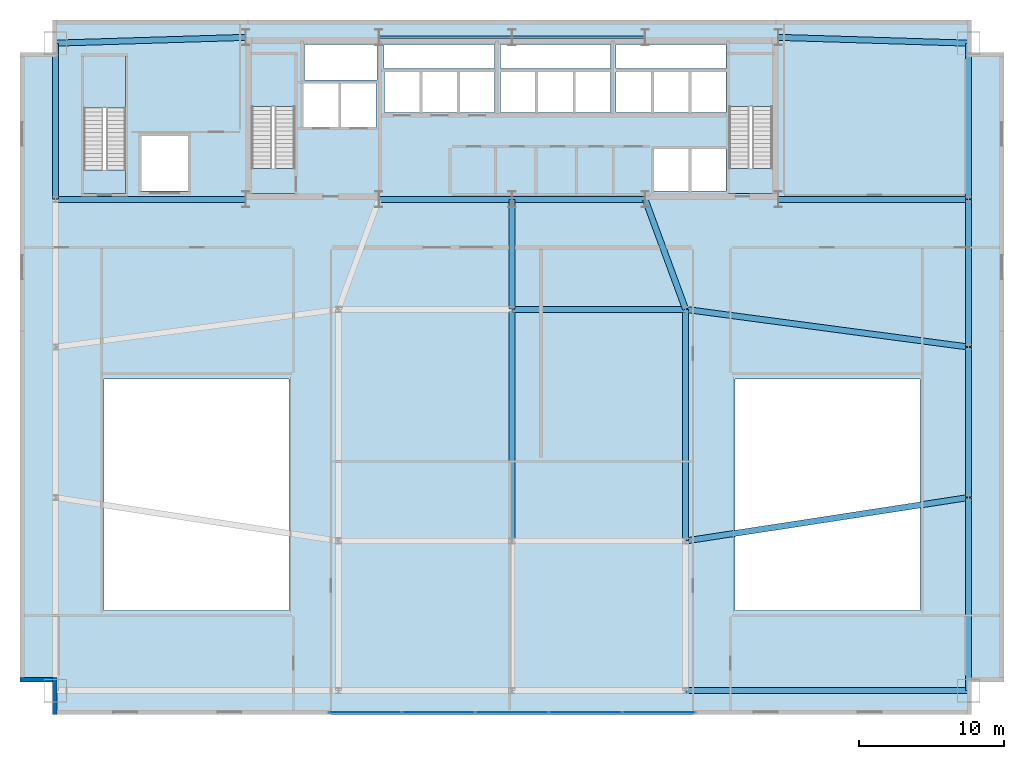
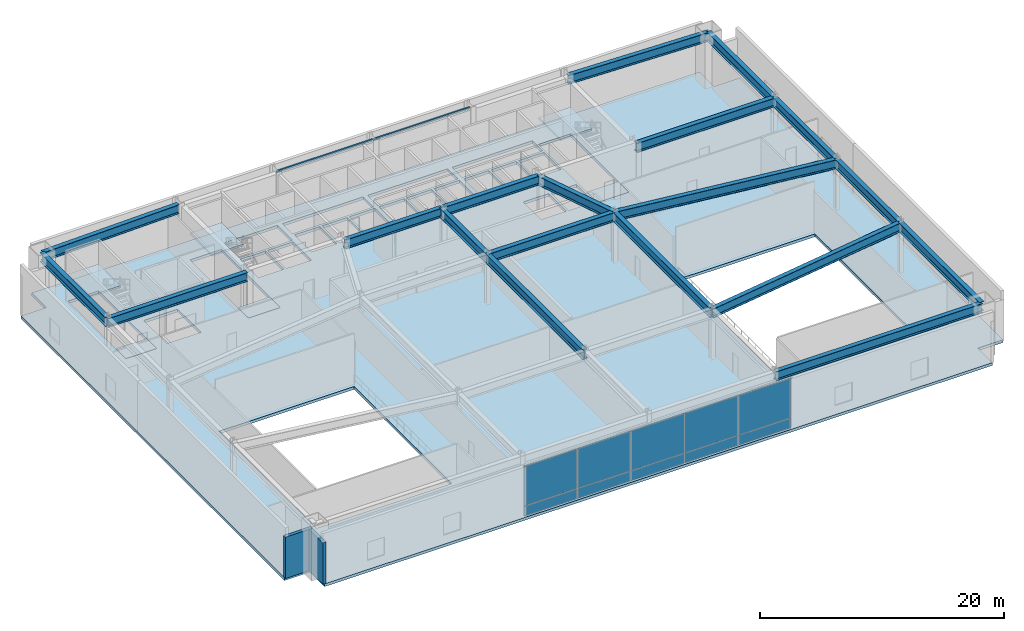
# One storey, part 7 of 13: 21 beams, 10 plates, 7 slabs, 2 walls, 4 elements without a shape of their own.
"""IFC4 building model written with IfcOpenShell, lengths in metres."""

import ifcopenshell
import ifcopenshell.guid

model = None  # the IFC model being written
_history = None  # IfcOwnerHistory: only IFC2X3 demands one
_inside = {}  # id of a spatial element -> (the spatial element, [elements in it])
_under = {}  # id of a project, library or spatial element -> (it, [spatial elements below it])
_declared = {}  # id of a project -> (the project, [libraries it declares])
_typed = {}  # id of a type object -> (the type object, [elements of that type])
_made_of = {}  # id of a material, layer set ... -> (it, [elements and type objects made of it])


def new_model(schema):
    """Start an empty IFC model of exactly this schema.

    Asked for "IFC4X3", IfcOpenShell would pick the latest addendum, in which some entities
    have other attributes; the version numbers below select the first issue.
    IFC2X3 requires an IfcOwnerHistory on every rooted entity: one is made here for all.
    """
    global model, _history
    if schema == "IFC4X3":
        model = ifcopenshell.file(schema_version=(4, 3, 0, 0))
    else:
        model = ifcopenshell.file(schema=schema)
    _inside.clear()
    _under.clear()
    _declared.clear()
    _typed.clear()
    _made_of.clear()
    _history = None
    if model.schema == "IFC2X3":
        org = make("IfcOrganization", Name="unknown")
        user = make(
            "IfcPersonAndOrganization",
            ThePerson=make("IfcPerson", FamilyName="unknown"),
            TheOrganization=org,
        )
        app = make(
            "IfcApplication",
            ApplicationDeveloper=org,
            Version="unknown",
            ApplicationFullName="unknown",
            ApplicationIdentifier="unknown",
        )
        _history = make(
            "IfcOwnerHistory",
            OwningUser=user,
            OwningApplication=app,
            ChangeAction="ADDED",
            CreationDate=0,
        )
    return model


def make(cls, **values):
    """One entity of the class cls with the attributes given. An attribute that is None is left unset."""
    return model.create_entity(
        cls, **{name: value for name, value in values.items() if value is not None}
    )


def rooted(cls, **values):
    """An entity with a GlobalId (a new one), such as an element, a storey or a relation."""
    return make(cls, GlobalId=ifcopenshell.guid.new(), OwnerHistory=_history, **values)


def si_unit(unit_type, name, prefix=None):
    """IfcSIUnit, for example si_unit("LENGTHUNIT", "METRE", prefix="MILLI")."""
    return make("IfcSIUnit", UnitType=unit_type, Prefix=prefix, Name=name)


def assignment(units):
    """IfcUnitAssignment: the units of a project."""
    return None if units is None else make("IfcUnitAssignment", Units=units)


def point(xyz):
    """IfcCartesianPoint."""
    return None if xyz is None else make("IfcCartesianPoint", Coordinates=xyz)


def direction(xyz):
    """IfcDirection."""
    return None if xyz is None else make("IfcDirection", DirectionRatios=xyz)


def frame(location, z_axis=None, x_axis=None):
    """IfcAxis2Placement3D, a coordinate frame: its origin and axes. An axis left out is left unset."""
    return make(
        "IfcAxis2Placement3D",
        Location=point(location),
        Axis=direction(z_axis),
        RefDirection=direction(x_axis),
    )


def frame_2d(location, x_axis=None):
    """IfcAxis2Placement2D, a coordinate frame in the plane: its origin and x axis."""
    return make(
        "IfcAxis2Placement2D", Location=point(location), RefDirection=direction(x_axis)
    )


def origin():
    """The frame at (0, 0, 0) with its axes left unset."""
    return frame((0.0, 0.0, 0.0))


def origin_2d():
    """The frame at (0, 0) in the plane with its x axis left unset."""
    return frame_2d((0.0, 0.0))


def place(relative_to, where):
    """IfcLocalPlacement: puts the frame where relative to a parent placement (None: the world)."""
    return make(
        "IfcLocalPlacement", PlacementRelTo=relative_to, RelativePlacement=where
    )


def context(
    kind, dimensions, precision=None, world=None, true_north=None, identifier=None
):
    """IfcGeometricRepresentationContext, for example the 3D "Model" context."""
    return make(
        "IfcGeometricRepresentationContext",
        ContextIdentifier=identifier,
        ContextType=kind,
        CoordinateSpaceDimension=dimensions,
        Precision=precision,
        WorldCoordinateSystem=world,
        TrueNorth=true_north,
    )


def subcontext(parent, identifier, kind, view, scale=None):
    """IfcGeometricRepresentationSubContext, for example "Body" below "Model"."""
    return make(
        "IfcGeometricRepresentationSubContext",
        ContextIdentifier=identifier,
        ContextType=kind,
        ParentContext=parent,
        TargetScale=scale,
        TargetView=view,
    )


def project(units=None, contexts=None):
    """IfcProject with its units and contexts."""
    return rooted(
        "IfcProject",
        Name="project",
        RepresentationContexts=contexts,
        UnitsInContext=assignment(units),
    )


def spatial(cls, under=None, at=None, **own):
    """A site, building, storey or space (cls), placed at a placement, below another one or the project."""
    s = rooted(cls, ObjectPlacement=at, **own)
    if under is not None:
        _under.setdefault(under.id(), (under, []))[1].append(s)
    return s


def polyline(points):
    """IfcPolyline through the points."""
    return make("IfcPolyline", Points=[point(p) for p in points])


def profile(cls, at=None, kind="AREA", **sizes):
    """A parametric profile (cls). Its sizes go by their IFC names, for example OverallWidth=200.0."""
    return make(cls, ProfileType=kind, Position=at, **sizes)


def rectangle(**sizes):
    """IfcRectangleProfileDef."""
    return profile("IfcRectangleProfileDef", **sizes)


def i_section(**sizes):
    """IfcIShapeProfileDef."""
    return profile("IfcIShapeProfileDef", **sizes)


def outline(outer, holes=None, kind="AREA"):
    """IfcArbitraryClosedProfileDef: a profile drawn as a closed curve; with holes, ...WithVoids."""
    if holes is None:
        return make("IfcArbitraryClosedProfileDef", ProfileType=kind, OuterCurve=outer)
    return make(
        "IfcArbitraryProfileDefWithVoids",
        ProfileType=kind,
        OuterCurve=outer,
        InnerCurves=holes,
    )


def extrude(swept, where, along, depth):
    """IfcExtrudedAreaSolid: the profile swept, set in the frame where, extruded along a direction by depth."""
    return make(
        "IfcExtrudedAreaSolid",
        SweptArea=swept,
        Position=where,
        ExtrudedDirection=direction(along),
        Depth=depth,
    )


def shape(context_of_items, identifier, shape_type, items):
    """IfcShapeRepresentation: the items that make up one representation, for example the "Body"."""
    return make(
        "IfcShapeRepresentation",
        ContextOfItems=context_of_items,
        RepresentationIdentifier=identifier,
        RepresentationType=shape_type,
        Items=items,
    )


def source(mapping_origin, context_of_items, identifier, shape_type, items):
    """IfcRepresentationMap: a shape defined once, which mapped items show again and again."""
    return make(
        "IfcRepresentationMap",
        MappingOrigin=mapping_origin,
        MappedRepresentation=shape(context_of_items, identifier, shape_type, items),
    )


def transform(
    local_origin,
    x_axis=None,
    y_axis=None,
    z_axis=None,
    scale=None,
    scale2=None,
    scale3=None,
    uniform=True,
):
    """IfcCartesianTransformationOperator3D, or its non-uniform kind. x_axis, y_axis, z_axis: its Axis1, 2, 3."""
    if uniform:
        return make(
            "IfcCartesianTransformationOperator3D",
            Axis1=direction(x_axis),
            Axis2=direction(y_axis),
            LocalOrigin=point(local_origin),
            Scale=scale,
            Axis3=direction(z_axis),
        )
    return make(
        "IfcCartesianTransformationOperator3DnonUniform",
        Axis1=direction(x_axis),
        Axis2=direction(y_axis),
        LocalOrigin=point(local_origin),
        Scale=scale,
        Axis3=direction(z_axis),
        Scale2=scale2,
        Scale3=scale3,
    )


def mapped(mapping_source, mapping_target):
    """IfcMappedItem: shows the shape of a source again, moved by a transform."""
    return make(
        "IfcMappedItem", MappingSource=mapping_source, MappingTarget=mapping_target
    )


def material(Name=None, Category=None):
    """IfcMaterial."""
    return make("IfcMaterial", Name=Name, Category=Category)


def layer(
    of_material, thickness, ventilated=None, Name=None, Category=None, Priority=None
):
    """IfcMaterialLayer: one layer of a wall or slab, of a material (None: an air gap)."""
    return make(
        "IfcMaterialLayer",
        Material=of_material,
        LayerThickness=thickness,
        IsVentilated=ventilated,
        Name=Name,
        Category=Category,
        Priority=Priority,
    )


def layer_set(layers, Name=None):
    """IfcMaterialLayerSet."""
    return make("IfcMaterialLayerSet", MaterialLayers=layers, LayerSetName=Name)


def material_profile(
    of_material, cross_section, Name=None, Category=None, Priority=None
):
    """IfcMaterialProfile: a cross section and its material."""
    return make(
        "IfcMaterialProfile",
        Name=Name,
        Material=of_material,
        Profile=cross_section,
        Priority=Priority,
        Category=Category,
    )


def profile_set(profiles, Name=None, composite=None):
    """IfcMaterialProfileSet."""
    return make(
        "IfcMaterialProfileSet",
        Name=Name,
        MaterialProfiles=profiles,
        CompositeProfile=composite,
    )


def made_of(thing, what):
    """Note that an element or type object is made of a material, layer set ...; save() writes the relation."""
    if what is not None:
        _made_of.setdefault(what.id(), (what, []))[1].append(thing)
    return thing


def type_object(cls, material=None, **own):
    """A type object (cls), such as IfcWallType, which elements share."""
    return made_of(rooted(cls, **own), material)


def type_shapes(of_type, sources):
    """Give a type object the sources (RepresentationMaps) that its elements show as mapped items."""
    of_type.RepresentationMaps = sources


def element(
    cls,
    number,
    at=None,
    inside=None,
    cuts=None,
    type_object=None,
    material=None,
    context=None,
    identifier="Body",
    shape_type=None,
    held_by="IfcProductDefinitionShape",
    body=None,
    shapes=None,
    **own,
):
    """One element of the class cls, such as IfcWall. Its Tag is "e" and its number.

    at: its placement. inside: the storey or other place that contains it. cuts: it is an
    opening in that element (IfcRelVoidsElement). A single representation is given by context,
    identifier, shape_type and body (its items); several are given by shapes. held_by: the class
    of the entity that holds the representations. save() writes the other relations.
    """
    e = rooted(cls, Tag="e%d" % number, ObjectPlacement=at, **own)
    if body is not None:
        shapes = [shape(context, identifier, shape_type, body)]
    if shapes is not None:
        e.Representation = make(held_by, Representations=shapes)
    if inside is not None:
        _inside.setdefault(inside.id(), (inside, []))[1].append(e)
    if cuts is not None:
        rooted(
            "IfcRelVoidsElement", RelatingBuildingElement=cuts, RelatedOpeningElement=e
        )
    if type_object is not None:
        _typed.setdefault(type_object.id(), (type_object, []))[1].append(e)
    return made_of(e, material)


def aggregate(whole, parts):
    """IfcRelAggregates: a whole, such as a stair, and the parts it consists of."""
    return rooted("IfcRelAggregates", RelatingObject=whole, RelatedObjects=parts)


def save(model, path):
    """Write the relations noted so far, then the file.

    IfcRelAggregates (storeys below a building ...), IfcRelContainedInSpatialStructure (elements
    in a storey), IfcRelDefinesByType, IfcRelAssociatesMaterial and IfcRelDeclares: one each for
    every whole, place, type object, material and project.
    """
    for whole, parts in _under.values():
        aggregate(whole, parts)
    for where, things in _inside.values():
        rooted(
            "IfcRelContainedInSpatialStructure",
            RelatedElements=things,
            RelatingStructure=where,
        )
    for kind, things in _typed.values():
        rooted("IfcRelDefinesByType", RelatedObjects=things, RelatingType=kind)
    for what, things in _made_of.values():
        rooted("IfcRelAssociatesMaterial", RelatedObjects=things, RelatingMaterial=what)
    for by, libraries in _declared.values():
        rooted("IfcRelDeclares", RelatingContext=by, RelatedDefinitions=libraries)
    model.write(path)


model = new_model("IFC4")

# Units and contexts
model_context = context("Model", 3, precision=1e-05, world=origin(), true_north=direction((0.0, 1.0)))
body_context = subcontext(model_context, "Body", "Model", "MODEL_VIEW")
ifc_project = project(units=[si_unit("LENGTHUNIT", "METRE"), si_unit("AREAUNIT", "SQUARE_METRE"), si_unit("VOLUMEUNIT", "CUBIC_METRE"), si_unit("PLANEANGLEUNIT", "RADIAN"), si_unit("MASSUNIT", "GRAM", prefix="KILO")], contexts=[model_context])

# Site, building, storey
site_placement = place(None, origin())
site = spatial("IfcSite", under=ifc_project, at=site_placement, CompositionType="ELEMENT")
building_placement = place(site_placement, origin())
building = spatial("IfcBuilding", under=site, at=building_placement, Name="Varnel Quay Broadcast Tower", CompositionType="ELEMENT")
storey_placement = place(building_placement, frame((0.0, 0.0, 16.800048828125)))
storey = spatial("IfcBuildingStorey", under=building, at=storey_placement, Name="L03", CompositionType="ELEMENT", Elevation=16.800048828125)

# Beams
ifc_material_1 = material(Name="Structural Steel CSA G40.21 350W", Category="steel")
ifc_material_profile_1 = material_profile(ifc_material_1, i_section(OverallWidth=0.1650390625, OverallDepth=0.200927734375, WebThickness=0.006103515625, FlangeThickness=0.01025390625, FilletRadius=0.010009765625, at=origin_2d()), Name="W200X36")
ifc_profile_set_1 = profile_set([ifc_material_profile_1], Name="Structural Steel CSA G40.21 350W")
beam_type_1 = type_object("IfcBeamType", Name="Beam_W200X36", PredefinedType="LINTEL", material=ifc_profile_set_1)
shared_shape_1 = source(origin(), body_context, "Body", "SweptSolid", [
    extrude(i_section(OverallWidth=0.1650390625, OverallDepth=0.200927734375, WebThickness=0.006103515625, FlangeThickness=0.01025390625, FilletRadius=0.010009765625, at=origin_2d()), origin(), (0.0, 0.0, 1.0), 9.159912109375),
])
type_shapes(beam_type_1, [shared_shape_1])
for number, where, z_axis, x_axis, name in (
    (1, (24.820068359375, 46.800048828125, 4.9794921875), (1.0, 0.0, 0.0), (0.0, 1.0, 0.0), "L03 Core North Portal Lintel W"),
    (2, (34.02001953125, 46.800048828125, 4.9794921875), (1.0, 0.0, 0.0), (0.0, 1.0, 0.0), "L03 Core North Portal Lintel E"),
):
    element("IfcBeam", number, at=place(storey_placement, frame(where, z_axis=z_axis, x_axis=x_axis)), inside=storey, type_object=beam_type_1, Name=name, PredefinedType="LINTEL", context=body_context, shape_type="MappedRepresentation", body=[
        mapped(shared_shape_1, transform((0.0, 0.0, 0.0), x_axis=(1.0, 0.0, 0.0), y_axis=(0.0, 1.0, 0.0), z_axis=(0.0, 0.0, 1.0), scale=1.0)),
    ])
ifc_material_profile_2 = material_profile(ifc_material_1, i_section(OverallWidth=0.41796875, OverallDepth=0.912109375, WebThickness=0.019287109375, FlangeThickness=0.031982421875, FilletRadius=0.02197265625, at=origin_2d()), Name="W920X342")
ifc_profile_set_2 = profile_set([ifc_material_profile_2], Name="Structural Steel CSA G40.21 350W")
beam_type_2 = type_object("IfcBeamType", Name="Girder_W920X342", PredefinedType="BEAM", material=ifc_profile_set_2)
shared_shape_2 = source(origin(), body_context, "Body", "SweptSolid", [
    extrude(i_section(OverallWidth=0.41796875, OverallDepth=0.912109375, WebThickness=0.019287109375, FlangeThickness=0.031982421875, FilletRadius=0.02197265625, at=origin_2d()), origin(), (0.0, 0.0, 1.0), 19.510009765625),
])
beam_1_placement = place(storey_placement, frame((46.02001953125, 1.64990234375, 4.6240234375), z_axis=(1.0, 0.0, 0.0), x_axis=(0.0, 1.0, 0.0)))
element("IfcBeam", 3, at=beam_1_placement, inside=storey, type_object=beam_type_2, Name="L03 Girder G-PS4", PredefinedType="BEAM", context=body_context, shape_type="MappedRepresentation", body=[
    mapped(shared_shape_2, transform((0.0, 0.0, 0.0), x_axis=(1.0, 0.0, 0.0), y_axis=(0.0, 1.0, 0.0), z_axis=(0.0, 0.0, 1.0), scale=1.0)),
])
shared_shape_3 = source(origin(), body_context, "Body", "SweptSolid", [
    extrude(i_section(OverallWidth=0.41796875, OverallDepth=0.912109375, WebThickness=0.019287109375, FlangeThickness=0.031982421875, FilletRadius=0.02197265625, at=origin_2d()), origin(), (0.0, 0.0, 1.0), 11.9599609375),
])
beam_2_placement = place(storey_placement, frame((34.02001953125, 28.0, 4.6240234375), z_axis=(1.0, 0.0, 0.0), x_axis=(0.0, 1.0, 0.0)))
element("IfcBeam", 4, at=beam_2_placement, inside=storey, type_object=beam_type_2, Name="L03 Girder G-STC3", PredefinedType="BEAM", context=body_context, shape_type="MappedRepresentation", body=[
    mapped(shared_shape_3, transform((0.0, 0.0, 0.0), x_axis=(1.0, 0.0, 0.0), y_axis=(0.0, 1.0, 0.0), z_axis=(0.0, 0.0, 1.0), scale=1.0)),
])
shared_shape_4 = source(origin(), body_context, "Body", "SweptSolid", [
    extrude(i_section(OverallWidth=0.41796875, OverallDepth=0.912109375, WebThickness=0.019287109375, FlangeThickness=0.031982421875, FilletRadius=0.02197265625, at=origin_2d()), origin(), (0.0, 0.0, 1.0), 13.31005859375),
])
beam_3_placement = place(storey_placement, frame((65.550048828125, 1.669921875, 4.6240234375), z_axis=(0.0, 1.0, 0.0), x_axis=(-1.0, 0.0, 0.0)))
element("IfcBeam", 5, at=beam_3_placement, inside=storey, type_object=beam_type_2, Name="L03 Girder G-PE1", PredefinedType="BEAM", context=body_context, shape_type="MappedRepresentation", body=[
    mapped(shared_shape_4, transform((0.0, 0.0, 0.0), x_axis=(1.0, 0.0, 0.0), y_axis=(0.0, 1.0, 0.0), z_axis=(0.0, 0.0, 1.0), scale=1.0)),
])
shared_shape_5 = source(origin(), body_context, "Body", "SweptSolid", [
    extrude(i_section(OverallWidth=0.41796875, OverallDepth=0.912109375, WebThickness=0.019287109375, FlangeThickness=0.031982421875, FilletRadius=0.02197265625, at=origin_2d()), origin(), (0.0, 0.0, 1.0), 10.35986328125),
])
beam_4_placement = place(storey_placement, frame((65.550048828125, 15.02001953125, 4.6240234375), z_axis=(0.0, 1.0, 0.0), x_axis=(-1.0, 0.0, 0.0)))
element("IfcBeam", 6, at=beam_4_placement, inside=storey, type_object=beam_type_2, Name="L03 Girder G-PE2", PredefinedType="BEAM", context=body_context, shape_type="MappedRepresentation", body=[
    mapped(shared_shape_5, transform((0.0, 0.0, 0.0), x_axis=(1.0, 0.0, 0.0), y_axis=(0.0, 1.0, 0.0), z_axis=(0.0, 0.0, 1.0), scale=1.0)),
])
shared_shape_6 = source(origin(), body_context, "Body", "SweptSolid", [
    extrude(i_section(OverallWidth=0.41796875, OverallDepth=0.912109375, WebThickness=0.019287109375, FlangeThickness=0.031982421875, FilletRadius=0.02197265625, at=origin_2d()), origin(), (0.0, 0.0, 1.0), 10.16015625),
])
beam_5_placement = place(storey_placement, frame((65.550048828125, 25.419921875, 4.6240234375), z_axis=(0.0, 1.0, 0.0), x_axis=(-1.0, 0.0, 0.0)))
element("IfcBeam", 7, at=beam_5_placement, inside=storey, type_object=beam_type_2, Name="L03 Girder G-PE3", PredefinedType="BEAM", context=body_context, shape_type="MappedRepresentation", body=[
    mapped(shared_shape_6, transform((0.0, 0.0, 0.0), x_axis=(1.0, 0.0, 0.0), y_axis=(0.0, 1.0, 0.0), z_axis=(0.0, 0.0, 1.0), scale=1.0)),
])
shared_shape_7 = source(origin(), body_context, "Body", "SweptSolid", [
    extrude(i_section(OverallWidth=0.41796875, OverallDepth=0.912109375, WebThickness=0.019287109375, FlangeThickness=0.031982421875, FilletRadius=0.02197265625, at=origin_2d()), origin(), (0.0, 0.0, 1.0), 10.759765625),
])
for number, where, z_axis, x_axis, name in (
    (8, (2.449951171875, 35.6201171875, 4.6240234375), (0.0, 1.0, 0.0), (-1.0, 0.0, 0.0), "L03 Girder G-PW4"),
    (9, (65.550048828125, 35.6201171875, 4.6240234375), (0.0, 1.0, 0.0), (-1.0, 0.0, 0.0), "L03 Girder G-PE4"),
):
    element("IfcBeam", number, at=place(storey_placement, frame(where, z_axis=z_axis, x_axis=x_axis)), inside=storey, type_object=beam_type_2, Name=name, PredefinedType="BEAM", context=body_context, shape_type="MappedRepresentation", body=[
        mapped(shared_shape_7, transform((0.0, 0.0, 0.0), x_axis=(1.0, 0.0, 0.0), y_axis=(0.0, 1.0, 0.0), z_axis=(0.0, 0.0, 1.0), scale=1.0)),
    ])
shared_shape_8 = source(origin(), body_context, "Body", "SweptSolid", [
    extrude(i_section(OverallWidth=0.41796875, OverallDepth=0.912109375, WebThickness=0.019287109375, FlangeThickness=0.031982421875, FilletRadius=0.02197265625, at=origin_2d()), origin(), (0.0, 0.0, 1.0), 13.1162109375),
])
for number, where, z_axis, x_axis, name in (
    (10, (2.469970703125, 46.400634765625, 4.6240234375), (0.999537928818, 0.030396198025, 0.0), (-0.030396198025, 0.999537928818, 0.0), "L03 Girder G-PN1"),
    (11, (52.419921875, 46.79931640625, 4.6240234375), (0.999537928818, -0.030396198025, 0.0), (0.030396198025, 0.999537928818, 0.0), "L03 Girder G-PN2"),
):
    element("IfcBeam", number, at=place(storey_placement, frame(where, z_axis=z_axis, x_axis=x_axis)), inside=storey, type_object=beam_type_2, Name=name, PredefinedType="BEAM", context=body_context, shape_type="MappedRepresentation", body=[
        mapped(shared_shape_8, transform((0.0, 0.0, 0.0), x_axis=(1.0, 0.0, 0.0), y_axis=(0.0, 1.0, 0.0), z_axis=(0.0, 0.0, 1.0), scale=1.0)),
    ])
shared_shape_9 = source(origin(), body_context, "Body", "SweptSolid", [
    extrude(i_section(OverallWidth=0.41796875, OverallDepth=0.912109375, WebThickness=0.019287109375, FlangeThickness=0.031982421875, FilletRadius=0.02197265625, at=origin_2d()), origin(), (0.0, 0.0, 1.0), 19.682373046875),
])
beam_6_placement = place(storey_placement, frame((46.019775390625, 27.997314453125, 4.6240234375), z_axis=(0.991272261072, -0.131830589885, 0.0), x_axis=(0.131830589885, 0.991272261072, 0.0)))
element("IfcBeam", 12, at=beam_6_placement, inside=storey, type_object=beam_type_2, Name="L03 Girder G-STB2", PredefinedType="BEAM", context=body_context, shape_type="MappedRepresentation", body=[
    mapped(shared_shape_9, transform((0.0, 0.0, 0.0), x_axis=(1.0, 0.0, 0.0), y_axis=(0.0, 1.0, 0.0), z_axis=(0.0, 0.0, 1.0), scale=1.0)),
])
shared_shape_10 = source(origin(), body_context, "Body", "SweptSolid", [
    extrude(i_section(OverallWidth=0.41796875, OverallDepth=0.912109375, WebThickness=0.019287109375, FlangeThickness=0.031982421875, FilletRadius=0.02197265625, at=origin_2d()), origin(), (0.0, 0.0, 1.0), 15.9599609375),
])
for number, where, z_axis, x_axis, name in (
    (13, (34.0, 12.02001953125, 4.6240234375), (0.0, 1.0, 0.0), (-1.0, 0.0, 0.0), "L03 Girder G-M2C"),
    (14, (46.0, 12.02001953125, 4.6240234375), (0.0, 1.0, 0.0), (-1.0, 0.0, 0.0), "L03 Girder G-M4"),
):
    element("IfcBeam", number, at=place(storey_placement, frame(where, z_axis=z_axis, x_axis=x_axis)), inside=storey, type_object=beam_type_2, Name=name, PredefinedType="BEAM", context=body_context, shape_type="MappedRepresentation", body=[
        mapped(shared_shape_10, transform((0.0, 0.0, 0.0), x_axis=(1.0, 0.0, 0.0), y_axis=(0.0, 1.0, 0.0), z_axis=(0.0, 0.0, 1.0), scale=1.0)),
    ])
shared_shape_11 = source(origin(), body_context, "Body", "SweptSolid", [
    extrude(i_section(OverallWidth=0.41796875, OverallDepth=0.912109375, WebThickness=0.019287109375, FlangeThickness=0.031982421875, FilletRadius=0.02197265625, at=origin_2d()), origin(), (0.0, 0.0, 1.0), 8.0595703125),
])
beam_7_placement = place(storey_placement, frame((45.9931640625, 28.018798828125, 4.6240234375), z_axis=(-0.345726415607, 0.938335358788, 0.0), x_axis=(-0.938335358788, -0.345726415607, 0.0)))
element("IfcBeam", 15, at=beam_7_placement, inside=storey, type_object=beam_type_2, Name="L03 Girder G-C3", PredefinedType="BEAM", context=body_context, shape_type="MappedRepresentation", body=[
    mapped(shared_shape_11, transform((0.0, 0.0, 0.0), x_axis=(1.0, 0.0, 0.0), y_axis=(0.0, 1.0, 0.0), z_axis=(0.0, 0.0, 1.0), scale=1.0)),
])
shared_shape_12 = source(origin(), body_context, "Body", "SweptSolid", [
    extrude(i_section(OverallWidth=0.41796875, OverallDepth=0.912109375, WebThickness=0.019287109375, FlangeThickness=0.031982421875, FilletRadius=0.02197265625, at=origin_2d()), origin(), (0.0, 0.0, 1.0), 7.56005859375),
])
beam_8_placement = place(storey_placement, frame((34.0, 28.02001953125, 4.6240234375), z_axis=(0.0, 1.0, 0.0), x_axis=(-1.0, 0.0, 0.0)))
element("IfcBeam", 16, at=beam_8_placement, inside=storey, type_object=beam_type_2, Name="L03 Girder G-C2", PredefinedType="BEAM", context=body_context, shape_type="MappedRepresentation", body=[
    mapped(shared_shape_12, transform((0.0, 0.0, 0.0), x_axis=(1.0, 0.0, 0.0), y_axis=(0.0, 1.0, 0.0), z_axis=(0.0, 0.0, 1.0), scale=1.0)),
])
shared_shape_13 = source(origin(), body_context, "Body", "SweptSolid", [
    extrude(i_section(OverallWidth=0.41796875, OverallDepth=0.912109375, WebThickness=0.019287109375, FlangeThickness=0.031982421875, FilletRadius=0.02197265625, at=origin_2d()), origin(), (0.0, 0.0, 1.0), 13.110107421875),
])
for number, where, z_axis, x_axis, name in (
    (17, (2.469970703125, 35.60009765625, 4.6240234375), (1.0, 0.0, 0.0), (0.0, 1.0, 0.0), "L03 Girder G-C4"),
    (18, (52.419921875, 35.60009765625, 4.6240234375), (1.0, 0.0, 0.0), (0.0, 1.0, 0.0), "L03 Girder G-C5"),
):
    element("IfcBeam", number, at=place(storey_placement, frame(where, z_axis=z_axis, x_axis=x_axis)), inside=storey, type_object=beam_type_2, Name=name, PredefinedType="BEAM", context=body_context, shape_type="MappedRepresentation", body=[
        mapped(shared_shape_13, transform((0.0, 0.0, 0.0), x_axis=(1.0, 0.0, 0.0), y_axis=(0.0, 1.0, 0.0), z_axis=(0.0, 0.0, 1.0), scale=1.0)),
    ])
shared_shape_14 = source(origin(), body_context, "Body", "SweptSolid", [
    extrude(i_section(OverallWidth=0.41796875, OverallDepth=0.912109375, WebThickness=0.019287109375, FlangeThickness=0.031982421875, FilletRadius=0.02197265625, at=origin_2d()), origin(), (0.0, 0.0, 1.0), 9.159912109375),
])
for number, where, z_axis, x_axis, name in (
    (19, (24.820068359375, 35.60009765625, 4.6240234375), (1.0, 0.0, 0.0), (0.0, 1.0, 0.0), "L03 Girder G-CS1"),
    (20, (34.02001953125, 35.60009765625, 4.6240234375), (1.0, 0.0, 0.0), (0.0, 1.0, 0.0), "L03 Girder G-CS2"),
):
    element("IfcBeam", number, at=place(storey_placement, frame(where, z_axis=z_axis, x_axis=x_axis)), inside=storey, type_object=beam_type_2, Name=name, PredefinedType="BEAM", context=body_context, shape_type="MappedRepresentation", body=[
        mapped(shared_shape_14, transform((0.0, 0.0, 0.0), x_axis=(1.0, 0.0, 0.0), y_axis=(0.0, 1.0, 0.0), z_axis=(0.0, 0.0, 1.0), scale=1.0)),
    ])
shared_shape_15 = source(origin(), body_context, "Body", "SweptSolid", [
    extrude(i_section(OverallWidth=0.41796875, OverallDepth=0.912109375, WebThickness=0.019287109375, FlangeThickness=0.031982421875, FilletRadius=0.02197265625, at=origin_2d()), origin(), (0.0, 0.0, 1.0), 19.739013671875),
])
type_shapes(beam_type_2, [shared_shape_2, shared_shape_3, shared_shape_4, shared_shape_5, shared_shape_6, shared_shape_7, shared_shape_8, shared_shape_9, shared_shape_10, shared_shape_11, shared_shape_12, shared_shape_13, shared_shape_14, shared_shape_15])
beam_9_placement = place(storey_placement, frame((46.019775390625, 12.0029296875, 4.6240234375), z_axis=(0.988428537819, 0.151687262564, 0.0), x_axis=(-0.151687262564, 0.988428537819, 0.0)))
element("IfcBeam", 21, at=beam_9_placement, inside=storey, type_object=beam_type_2, Name="L03 Girder G-STB1", PredefinedType="BEAM", context=body_context, shape_type="MappedRepresentation", body=[
    mapped(shared_shape_15, transform((0.0, 0.0, 0.0), x_axis=(1.0, 0.0, 0.0), y_axis=(0.0, 1.0, 0.0), z_axis=(0.0, 0.0, 1.0), scale=1.0)),
])

# Slabs
ifc_material_2 = material(Name="Concrete CSA A23.3 C50/60", Category="concrete")
ifc_layer_1 = layer(ifc_material_2, 0.280029296875, Name="Concrete CSA A23.3 C50/60")
ifc_layer_set_1 = layer_set([ifc_layer_1], Name="Concrete CSA A23.3 C50/60")
slab_type_1 = type_object("IfcSlabType", Name="Slab_Floor280", PredefinedType="FLOOR", material=ifc_layer_set_1)
slab_1_placement = place(storey_placement, frame((0.0, 0.0, -0.280029296875)))
element("IfcSlab", 22, at=slab_1_placement, inside=storey, type_object=slab_type_1, Name="L03 Structural Slab", PredefinedType="FLOOR", context=body_context, shape_type="SweptSolid", body=[
    extrude(outline(polyline([(2.39990234375, 0.0), (65.60009765625, 0.0), (65.60009765625, 2.39990234375), (68.0, 2.39990234375), (68.0, 45.60009765625), (65.60009765625, 45.60009765625), (65.60009765625, 48.0), (2.39990234375, 48.0), (2.39990234375, 45.60009765625), (0.0, 45.60009765625), (0.0, 2.39990234375), (2.39990234375, 2.39990234375), (2.39990234375, 0.0)]), holes=[polyline([(5.800048828125, 23.199951171875), (18.60009765625, 23.199951171875), (18.60009765625, 7.199951171875), (5.800048828125, 7.199951171875), (5.800048828125, 23.199951171875)]), polyline([(8.39990234375, 40.0), (11.60009765625, 40.0), (11.60009765625, 36.199951171875), (8.39990234375, 36.199951171875), (8.39990234375, 40.0)]), polyline([(4.39990234375, 36.0), (4.39990234375, 45.5), (7.300048828125, 45.5), (7.300048828125, 36.0), (4.39990234375, 36.0)]), polyline([(16.0, 45.60009765625), (19.0, 45.60009765625), (19.0, 36.0), (16.0, 36.0), (16.0, 45.60009765625)]), polyline([(22.0, 43.60009765625), (22.0, 40.60009765625), (19.60009765625, 40.60009765625), (19.60009765625, 43.60009765625), (22.0, 43.60009765625)]), polyline([(22.199951171875, 43.60009765625), (24.60009765625, 43.60009765625), (24.60009765625, 40.60009765625), (22.199951171875, 40.60009765625), (22.199951171875, 43.60009765625)]), polyline([(27.60009765625, 44.39990234375), (27.60009765625, 41.60009765625), (25.199951171875, 41.60009765625), (25.199951171875, 44.39990234375), (27.60009765625, 44.39990234375)]), polyline([(30.199951171875, 44.39990234375), (30.199951171875, 41.60009765625), (27.800048828125, 41.60009765625), (27.800048828125, 44.39990234375), (30.199951171875, 44.39990234375)]), polyline([(30.39990234375, 44.39990234375), (32.800048828125, 44.39990234375), (32.800048828125, 41.60009765625), (30.39990234375, 41.60009765625), (30.39990234375, 44.39990234375)]), polyline([(35.60009765625, 44.39990234375), (35.60009765625, 41.60009765625), (33.199951171875, 41.60009765625), (33.199951171875, 44.39990234375), (35.60009765625, 44.39990234375)]), polyline([(24.679931640625, 46.300048828125), (24.679931640625, 43.85009765625), (19.64990234375, 43.85009765625), (19.64990234375, 46.300048828125), (24.679931640625, 46.300048828125)]), polyline([(25.14990234375, 46.300048828125), (32.800048828125, 46.300048828125), (32.800048828125, 44.64990234375), (25.14990234375, 44.64990234375), (25.14990234375, 46.300048828125)]), polyline([(62.199951171875, 23.199951171875), (62.199951171875, 7.199951171875), (49.39990234375, 7.199951171875), (49.39990234375, 23.199951171875), (62.199951171875, 23.199951171875)]), polyline([(46.199951171875, 39.10009765625), (46.199951171875, 36.199951171875), (43.800048828125, 36.199951171875), (43.800048828125, 39.10009765625), (46.199951171875, 39.10009765625)]), polyline([(46.39990234375, 39.10009765625), (48.800048828125, 39.10009765625), (48.800048828125, 36.199951171875), (46.39990234375, 36.199951171875), (46.39990234375, 39.10009765625)]), polyline([(49.0, 45.60009765625), (52.0, 45.60009765625), (52.0, 36.0), (49.0, 36.0), (49.0, 45.60009765625)]), polyline([(38.199951171875, 44.39990234375), (38.199951171875, 41.60009765625), (35.800048828125, 41.60009765625), (35.800048828125, 44.39990234375), (38.199951171875, 44.39990234375)]), polyline([(38.39990234375, 44.39990234375), (40.800048828125, 44.39990234375), (40.800048828125, 41.60009765625), (38.39990234375, 41.60009765625), (38.39990234375, 44.39990234375)]), polyline([(43.60009765625, 44.39990234375), (43.60009765625, 41.60009765625), (41.199951171875, 41.60009765625), (41.199951171875, 44.39990234375), (43.60009765625, 44.39990234375)]), polyline([(46.199951171875, 44.39990234375), (46.199951171875, 41.60009765625), (43.800048828125, 41.60009765625), (43.800048828125, 44.39990234375), (46.199951171875, 44.39990234375)]), polyline([(46.39990234375, 44.39990234375), (48.800048828125, 44.39990234375), (48.800048828125, 41.60009765625), (46.39990234375, 41.60009765625), (46.39990234375, 44.39990234375)]), polyline([(40.800048828125, 46.300048828125), (40.800048828125, 44.64990234375), (33.199951171875, 44.64990234375), (33.199951171875, 46.300048828125), (40.800048828125, 46.300048828125)]), polyline([(48.800048828125, 46.300048828125), (48.800048828125, 44.64990234375), (41.199951171875, 44.64990234375), (41.199951171875, 46.300048828125), (48.800048828125, 46.300048828125)])]), origin(), (0.0, 0.0, 1.0), 0.280029296875),
])
ifc_layer_2 = layer(ifc_material_2, 0.25, Name="Concrete CSA A23.3 C50/60")
ifc_layer_set_2 = layer_set([ifc_layer_2], Name="Concrete CSA A23.3 C50/60")
slab_type_2 = type_object("IfcSlabType", Name="Slab_StairFloorLanding250", PredefinedType="FLOOR", material=ifc_layer_set_2)
slab_2_placement = place(storey_placement, frame((0.0, 0.0, -0.280029296875)))
element("IfcSlab", 23, at=slab_2_placement, inside=storey, type_object=slab_type_2, Name="L03 ST-01 Structural Floor Landing Slab", PredefinedType="FLOOR", context=body_context, shape_type="SweptSolid", body=[
    extrude(outline(polyline([(19.0, 36.0), (19.0, 37.75), (16.0, 37.75), (16.0, 36.0), (19.0, 36.0)])), origin(), (0.0, 0.0, 1.0), 0.280029296875),
])
slab_3_placement = place(storey_placement, frame((0.0, 0.0, -0.280029296875)))
element("IfcSlab", 24, at=slab_3_placement, inside=storey, type_object=slab_type_2, Name="L03 ST-02 Structural Floor Landing Slab", PredefinedType="FLOOR", context=body_context, shape_type="SweptSolid", body=[
    extrude(outline(polyline([(52.0, 36.0), (52.0, 37.75), (49.0, 37.75), (49.0, 36.0), (52.0, 36.0)])), origin(), (0.0, 0.0, 1.0), 0.280029296875),
])
slab_4_placement = place(storey_placement, frame((0.0, 0.0, -0.280029296875)))
element("IfcSlab", 25, at=slab_4_placement, inside=storey, type_object=slab_type_2, Name="L03 ST-03 Structural Floor Landing Slab", PredefinedType="FLOOR", context=body_context, shape_type="SweptSolid", body=[
    extrude(outline(polyline([(7.300048828125, 36.0), (7.300048828125, 37.64990234375), (4.39990234375, 37.64990234375), (4.39990234375, 36.0), (7.300048828125, 36.0)])), origin(), (0.0, 0.0, 1.0), 0.280029296875),
])

# Stair, slab
ifc_material_3 = material(Name="Precast Structural Concrete C40/50", Category="concrete")
stair_type_1 = type_object("IfcStairType", Name="Stair_ST-01", PredefinedType="HALF_TURN_STAIR", material=ifc_material_3)
stair_1_placement = place(storey_placement, origin())
stair_1 = element("IfcStair", 26, at=stair_1_placement, inside=storey, type_object=stair_type_1, Name="L03 West Core Exit Stair 1", PredefinedType="HALF_TURN_STAIR")
ifc_layer_3 = layer(ifc_material_3, 0.199951171875, Name="Precast Structural Concrete C40/50")
ifc_layer_set_3 = layer_set([ifc_layer_3], Name="Precast Structural Concrete C40/50")
slab_type_3 = type_object("IfcSlabType", Name="Slab_StairLanding200", PredefinedType="LANDING", material=ifc_layer_set_3)
slab_5_placement = place(storey_placement, frame((0.0, 0.0, 2.5)))
slab_5 = element("IfcSlab", 27, at=slab_5_placement, type_object=slab_type_3, Name="ST-01 landing 1", PredefinedType="LANDING", context=body_context, shape_type="SweptSolid", body=[
    extrude(outline(polyline([(19.0, 42.02490234375), (19.0, 45.60009765625), (16.0, 45.60009765625), (16.0, 42.02490234375), (19.0, 42.02490234375)])), origin(), (0.0, 0.0, 1.0), 0.199951171875),
])
aggregate(stair_1, [slab_5])

stair_type_2 = type_object("IfcStairType", Name="Stair_ST-02", PredefinedType="HALF_TURN_STAIR", material=ifc_material_3)
stair_2_placement = place(storey_placement, origin())
stair_2 = element("IfcStair", 28, at=stair_2_placement, inside=storey, type_object=stair_type_2, Name="L03 East Core Exit Stair 2", PredefinedType="HALF_TURN_STAIR")
slab_6_placement = place(storey_placement, frame((0.0, 0.0, 2.5)))
slab_6 = element("IfcSlab", 29, at=slab_6_placement, type_object=slab_type_3, Name="ST-02 landing 1", PredefinedType="LANDING", context=body_context, shape_type="SweptSolid", body=[
    extrude(outline(polyline([(52.0, 42.02490234375), (52.0, 45.60009765625), (49.0, 45.60009765625), (49.0, 42.02490234375), (52.0, 42.02490234375)])), origin(), (0.0, 0.0, 1.0), 0.199951171875),
])
aggregate(stair_2, [slab_6])

stair_type_3 = type_object("IfcStairType", Name="Stair_ST-03", PredefinedType="HALF_TURN_STAIR", material=ifc_material_3)
stair_3_placement = place(storey_placement, origin())
stair_3 = element("IfcStair", 30, at=stair_3_placement, inside=storey, type_object=stair_type_3, Name="L03 Podium Studio Exit Stair 3", PredefinedType="HALF_TURN_STAIR")
slab_7_placement = place(storey_placement, frame((0.0, 0.0, 2.5)))
slab_7 = element("IfcSlab", 31, at=slab_7_placement, type_object=slab_type_3, Name="ST-03 landing 1", PredefinedType="LANDING", context=body_context, shape_type="SweptSolid", body=[
    extrude(outline(polyline([(7.300048828125, 41.925048828125), (7.300048828125, 45.5), (4.39990234375, 45.5), (4.39990234375, 41.925048828125), (7.300048828125, 41.925048828125)])), origin(), (0.0, 0.0, 1.0), 0.199951171875),
])
aggregate(stair_3, [slab_7])

# Curtain wall, plates
ifc_material_4 = material(Name="Anodised Bronze Aluminium 6063-T6", Category="aluminium")
ifc_layer_4 = layer(ifc_material_4, 0.18994140625, Name="Anodised Bronze Aluminium 6063-T6")
ifc_layer_set_4 = layer_set([ifc_layer_4], Name="Anodised Bronze Aluminium 6063-T6")
curtain_wall_type = type_object("IfcCurtainWallType", Name="CW_PodiumForum", PredefinedType="NOTDEFINED", material=ifc_layer_set_4)
curtain_wall_placement = place(storey_placement, origin())
curtain_wall = element("IfcCurtainWall", 32, at=curtain_wall_placement, inside=storey, type_object=curtain_wall_type, Name="L03 Waterfront Forum Curtain Wall", PredefinedType="NOTDEFINED")
ifc_material_5 = material(Name="Triple-Glazed Clear High-Vision Low-E Glass", Category="glass")
ifc_layer_5 = layer(ifc_material_5, 0.035888671875, Name="Triple-Glazed Clear High-Vision Low-E Glass")
ifc_layer_set_5 = layer_set([ifc_layer_5], Name="Triple-Glazed Clear High-Vision Low-E Glass")
plate_type = type_object("IfcPlateType", Name="Panel_CWS-01", PredefinedType="CURTAIN_PANEL", material=ifc_layer_set_5)
shared_shape_16 = source(origin(), body_context, "Body", "SweptSolid", [
    extrude(rectangle(XDim=4.967529296875, YDim=0.035888671875, at=origin_2d()), origin(), (0.0, 0.0, 1.0), 0.952392578125),
])
plate_1_placement = place(storey_placement, frame((23.858642578125, 0.14990234375, 0.06494140625), z_axis=(0.0, 0.0, 1.0), x_axis=(1.0, 0.0, 0.0)))
plate_1 = element("IfcPlate", 33, at=plate_1_placement, type_object=plate_type, Name="CWS-01 panel 1.1", PredefinedType="CURTAIN_PANEL", context=body_context, shape_type="MappedRepresentation", body=[
    mapped(shared_shape_16, transform((0.0, 0.0, 0.0), x_axis=(1.0, 0.0, 0.0), y_axis=(0.0, 1.0, 0.0), z_axis=(0.0, 0.0, 1.0), scale=1.0)),
])
plate_2_placement = place(storey_placement, frame((44.141357421875, 0.14990234375, 0.06494140625), z_axis=(0.0, 0.0, 1.0), x_axis=(1.0, 0.0, 0.0)))
plate_2 = element("IfcPlate", 34, at=plate_2_placement, type_object=plate_type, Name="CWS-01 panel 5.1", PredefinedType="CURTAIN_PANEL", context=body_context, shape_type="MappedRepresentation", body=[
    mapped(shared_shape_16, transform((0.0, 0.0, 0.0), x_axis=(1.0, 0.0, 0.0), y_axis=(0.0, 1.0, 0.0), z_axis=(0.0, 0.0, 1.0), scale=1.0)),
])
shared_shape_17 = source(origin(), body_context, "Body", "SweptSolid", [
    extrude(rectangle(XDim=5.0048828125, YDim=0.035888671875, at=origin_2d()), origin(), (0.0, 0.0, 1.0), 0.952392578125),
])
plate_3_placement = place(storey_placement, frame((28.919921875, 0.14990234375, 0.06494140625), z_axis=(0.0, 0.0, 1.0), x_axis=(1.0, 0.0, 0.0)))
plate_3 = element("IfcPlate", 35, at=plate_3_placement, type_object=plate_type, Name="CWS-01 panel 2.1", PredefinedType="CURTAIN_PANEL", context=body_context, shape_type="MappedRepresentation", body=[
    mapped(shared_shape_17, transform((0.0, 0.0, 0.0), x_axis=(1.0, 0.0, 0.0), y_axis=(0.0, 1.0, 0.0), z_axis=(0.0, 0.0, 1.0), scale=1.0)),
])
plate_4_placement = place(storey_placement, frame((34.0, 0.14990234375, 0.06494140625), z_axis=(0.0, 0.0, 1.0), x_axis=(1.0, 0.0, 0.0)))
plate_4 = element("IfcPlate", 36, at=plate_4_placement, type_object=plate_type, Name="CWS-01 panel 3.1", PredefinedType="CURTAIN_PANEL", context=body_context, shape_type="MappedRepresentation", body=[
    mapped(shared_shape_17, transform((0.0, 0.0, 0.0), x_axis=(1.0, 0.0, 0.0), y_axis=(0.0, 1.0, 0.0), z_axis=(0.0, 0.0, 1.0), scale=1.0)),
])
plate_5_placement = place(storey_placement, frame((39.080078125, 0.14990234375, 0.06494140625), z_axis=(0.0, 0.0, 1.0), x_axis=(1.0, 0.0, 0.0)))
plate_5 = element("IfcPlate", 37, at=plate_5_placement, type_object=plate_type, Name="CWS-01 panel 4.1", PredefinedType="CURTAIN_PANEL", context=body_context, shape_type="MappedRepresentation", body=[
    mapped(shared_shape_17, transform((0.0, 0.0, 0.0), x_axis=(1.0, 0.0, 0.0), y_axis=(0.0, 1.0, 0.0), z_axis=(0.0, 0.0, 1.0), scale=1.0)),
])
shared_shape_18 = source(origin(), body_context, "Body", "SweptSolid", [
    extrude(rectangle(XDim=4.967529296875, YDim=0.035888671875, at=origin_2d()), origin(), (0.0, 0.0, 1.0), 3.9326171875),
])
plate_6_placement = place(storey_placement, frame((23.858642578125, 0.14990234375, 1.082275390625), z_axis=(0.0, 0.0, 1.0), x_axis=(1.0, 0.0, 0.0)))
plate_6 = element("IfcPlate", 38, at=plate_6_placement, type_object=plate_type, Name="CWS-01 panel 1.2", PredefinedType="CURTAIN_PANEL", context=body_context, shape_type="MappedRepresentation", body=[
    mapped(shared_shape_18, transform((0.0, 0.0, 0.0), x_axis=(1.0, 0.0, 0.0), y_axis=(0.0, 1.0, 0.0), z_axis=(0.0, 0.0, 1.0), scale=1.0)),
])
plate_7_placement = place(storey_placement, frame((44.141357421875, 0.14990234375, 1.082275390625), z_axis=(0.0, 0.0, 1.0), x_axis=(1.0, 0.0, 0.0)))
plate_7 = element("IfcPlate", 39, at=plate_7_placement, type_object=plate_type, Name="CWS-01 panel 5.2", PredefinedType="CURTAIN_PANEL", context=body_context, shape_type="MappedRepresentation", body=[
    mapped(shared_shape_18, transform((0.0, 0.0, 0.0), x_axis=(1.0, 0.0, 0.0), y_axis=(0.0, 1.0, 0.0), z_axis=(0.0, 0.0, 1.0), scale=1.0)),
])
shared_shape_19 = source(origin(), body_context, "Body", "SweptSolid", [
    extrude(rectangle(XDim=5.0048828125, YDim=0.035888671875, at=origin_2d()), origin(), (0.0, 0.0, 1.0), 3.9326171875),
])
type_shapes(plate_type, [shared_shape_16, shared_shape_17, shared_shape_18, shared_shape_19])
plate_8_placement = place(storey_placement, frame((28.919921875, 0.14990234375, 1.082275390625), z_axis=(0.0, 0.0, 1.0), x_axis=(1.0, 0.0, 0.0)))
plate_8 = element("IfcPlate", 40, at=plate_8_placement, type_object=plate_type, Name="CWS-01 panel 2.2", PredefinedType="CURTAIN_PANEL", context=body_context, shape_type="MappedRepresentation", body=[
    mapped(shared_shape_19, transform((0.0, 0.0, 0.0), x_axis=(1.0, 0.0, 0.0), y_axis=(0.0, 1.0, 0.0), z_axis=(0.0, 0.0, 1.0), scale=1.0)),
])
plate_9_placement = place(storey_placement, frame((34.0, 0.14990234375, 1.082275390625), z_axis=(0.0, 0.0, 1.0), x_axis=(1.0, 0.0, 0.0)))
plate_9 = element("IfcPlate", 41, at=plate_9_placement, type_object=plate_type, Name="CWS-01 panel 3.2", PredefinedType="CURTAIN_PANEL", context=body_context, shape_type="MappedRepresentation", body=[
    mapped(shared_shape_19, transform((0.0, 0.0, 0.0), x_axis=(1.0, 0.0, 0.0), y_axis=(0.0, 1.0, 0.0), z_axis=(0.0, 0.0, 1.0), scale=1.0)),
])
plate_10_placement = place(storey_placement, frame((39.080078125, 0.14990234375, 1.082275390625), z_axis=(0.0, 0.0, 1.0), x_axis=(1.0, 0.0, 0.0)))
plate_10 = element("IfcPlate", 42, at=plate_10_placement, type_object=plate_type, Name="CWS-01 panel 4.2", PredefinedType="CURTAIN_PANEL", context=body_context, shape_type="MappedRepresentation", body=[
    mapped(shared_shape_19, transform((0.0, 0.0, 0.0), x_axis=(1.0, 0.0, 0.0), y_axis=(0.0, 1.0, 0.0), z_axis=(0.0, 0.0, 1.0), scale=1.0)),
])
aggregate(curtain_wall, [plate_1, plate_6, plate_3, plate_8, plate_4, plate_9, plate_5, plate_10, plate_2, plate_7])

# Walls
ifc_material_6 = material(Name="Precast Architectural Concrete C40/50", Category="concrete")
ifc_layer_6 = layer(ifc_material_6, 0.300048828125, Name="Precast Architectural Concrete C40/50")
ifc_layer_set_6 = layer_set([ifc_layer_6], Name="Precast Architectural Concrete C40/50")
wall_type = type_object("IfcWallType", Name="Wall_ExtPodium300", PredefinedType="SOLIDWALL", material=ifc_layer_set_6)
for number, where, z_axis, x_axis, name in (
    (43, (2.39990234375, 0.0, 0.0), (0.0, 0.0, 1.0), (0.0, 1.0, 0.0), "L03 Podium Acoustic Exterior Wall NSW1"),
    (44, (0.0, 2.39990234375, 0.0), (0.0, 0.0, 1.0), (1.0, 0.0, 0.0), "L03 Podium Acoustic Exterior Wall NSW2"),
):
    element("IfcWall", number, at=place(storey_placement, frame(where, z_axis=z_axis, x_axis=x_axis)), inside=storey, type_object=wall_type, Name=name, PredefinedType="SOLIDWALL", context=body_context, shape_type="SweptSolid", body=[
        extrude(rectangle(XDim=2.550048828125, YDim=0.300048828125, at=frame_2d((1.27490234375, 0.0))), origin(), (0.0, 0.0, 1.0), 4.14306640625),
    ])

save(model, "model.ifc")
